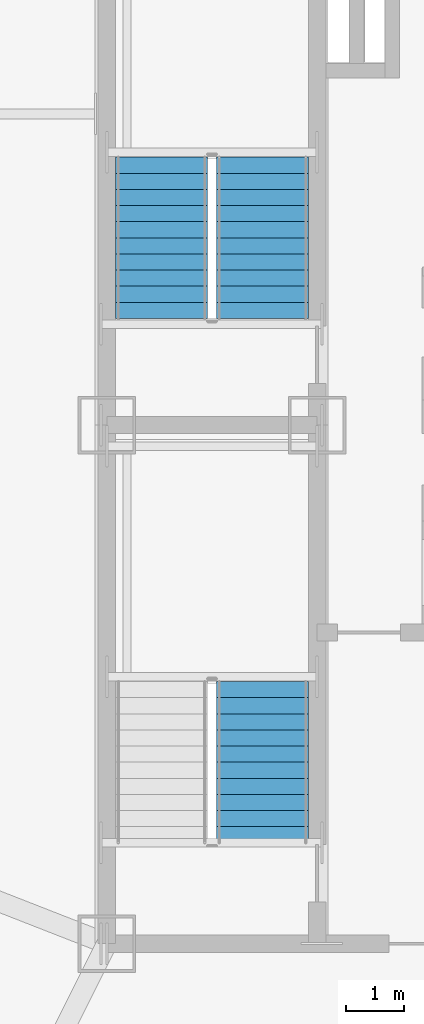
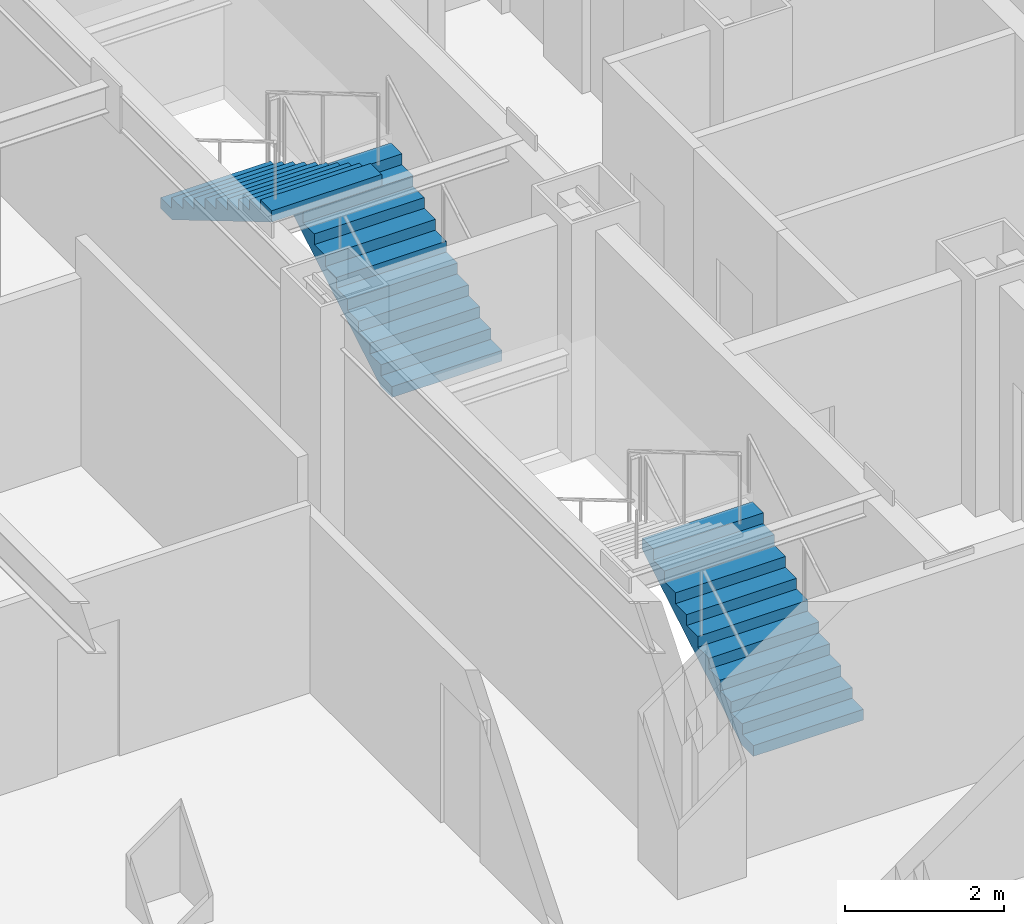
# One storey, part 13 of 14: 3 stair flights, 2 elements without a shape of their own.
"""IFC4 building model written with IfcOpenShell, lengths in metres."""

from ifc_helpers import new_model, si_unit, direction, frame, origin, place, context, subcontext, project, spatial, polyline, outline, extrude, material, type_object, element, aggregate, save


model = new_model("IFC4")

# Units and contexts
model_context = context("Model", 3, precision=1e-05, world=origin(), true_north=direction((0.0, 1.0)))
body_context = subcontext(model_context, "Body", "Model", "MODEL_VIEW")
ifc_project = project(units=[si_unit("LENGTHUNIT", "METRE"), si_unit("AREAUNIT", "SQUARE_METRE"), si_unit("VOLUMEUNIT", "CUBIC_METRE"), si_unit("PLANEANGLEUNIT", "RADIAN"), si_unit("MASSUNIT", "GRAM", prefix="KILO")], contexts=[model_context])

# Site, building, storey
site_placement = place(None, origin())
site = spatial("IfcSite", under=ifc_project, at=site_placement, CompositionType="ELEMENT")
building_placement = place(site_placement, origin())
building = spatial("IfcBuilding", under=site, at=building_placement, Name="Khamvora Tower", CompositionType="ELEMENT")
storey_placement = place(building_placement, frame((0.0, 0.0, 253.699951171875)))
storey = spatial("IfcBuildingStorey", under=building, at=storey_placement, Name="L65", CompositionType="ELEMENT", Elevation=253.699951171875)

# Stair, stair flight
ifc_material = material(Name="Concrete C40/50", Category="concrete")
stair_type_1 = type_object("IfcStairType", Name="STR-ST-01", PredefinedType="HALF_TURN_STAIR", material=ifc_material)
stair_1_placement = place(storey_placement, origin())
stair_1 = element("IfcStair", 1, at=stair_1_placement, inside=storey, type_object=stair_type_1, Name="L65 South Tower Exit Stair ST-01", PredefinedType="HALF_TURN_STAIR")
stair_flight_type_1 = type_object("IfcStairFlightType", Name="STF-ST-01", PredefinedType="STRAIGHT", material=ifc_material)
stair_flight_1_placement = place(storey_placement, frame((31.699951171875, 20.75, 0.0), z_axis=(0.0, 0.0, 1.0), x_axis=(0.0, 1.0, 0.0)))
stair_flight_1 = element("IfcStairFlight", 2, at=stair_flight_1_placement, type_object=stair_flight_type_1, Name="ST-01 flight 1", NumberOfRisers=11, NumberOfTreads=10, PredefinedType="STRAIGHT", RiserHeight=0.165909091, TreadLength=0.28, context=body_context, shape_type="SweptSolid", body=[
    extrude(outline(polyline([(0.0, 0.0), (0.0, 0.166015625), (0.280029296875, 0.166015625), (0.280029296875, 0.331787109375), (0.56005859375, 0.331787109375), (0.56005859375, 0.497802734375), (0.840087890625, 0.497802734375), (0.840087890625, 0.66357421875), (1.1201171875, 0.66357421875), (1.1201171875, 0.82958984375), (1.39990234375, 0.82958984375), (1.39990234375, 0.995361328125), (1.679931640625, 0.995361328125), (1.679931640625, 1.161376953125), (1.9599609375, 1.161376953125), (1.9599609375, 1.327392578125), (2.239990234375, 1.327392578125), (2.239990234375, 1.4931640625), (2.52001953125, 1.4931640625), (2.52001953125, 1.6591796875), (2.800048828125, 1.6591796875), (2.800048828125, 1.824951171875), (2.800048828125, 1.48486328125), (0.2939453125, 0.0), (0.0, 0.0)])), frame((0.0, 0.800048828125, 0.0), z_axis=(0.0, -1.0, 0.0), x_axis=(1.0, 0.0, 0.0)), (0.0, 0.0, 1.0), 1.60009765625),
])
aggregate(stair_1, [stair_flight_1])

# Stair, stair flights
stair_type_2 = type_object("IfcStairType", Name="STR-ST-02", PredefinedType="HALF_TURN_STAIR", material=ifc_material)
stair_2_placement = place(storey_placement, origin())
stair_2 = element("IfcStair", 3, at=stair_2_placement, inside=storey, type_object=stair_type_2, Name="L65 North Tower Exit Stair ST-02", PredefinedType="HALF_TURN_STAIR")
stair_flight_type_2 = type_object("IfcStairFlightType", Name="STF-ST-02", PredefinedType="STRAIGHT", material=ifc_material)
stair_flight_2_placement = place(storey_placement, frame((31.699951171875, 29.85009765625, 0.0), z_axis=(0.0, 0.0, 1.0), x_axis=(0.0, 1.0, 0.0)))
stair_flight_2 = element("IfcStairFlight", 4, at=stair_flight_2_placement, type_object=stair_flight_type_2, Name="ST-02 flight 1", NumberOfRisers=11, NumberOfTreads=10, PredefinedType="STRAIGHT", RiserHeight=0.165909091, TreadLength=0.28, context=body_context, shape_type="SweptSolid", body=[
    extrude(outline(polyline([(0.0, 0.0), (0.0, 0.166015625), (0.280029296875, 0.166015625), (0.280029296875, 0.331787109375), (0.56005859375, 0.331787109375), (0.56005859375, 0.497802734375), (0.840087890625, 0.497802734375), (0.840087890625, 0.66357421875), (1.1201171875, 0.66357421875), (1.1201171875, 0.82958984375), (1.39990234375, 0.82958984375), (1.39990234375, 0.995361328125), (1.679931640625, 0.995361328125), (1.679931640625, 1.161376953125), (1.9599609375, 1.161376953125), (1.9599609375, 1.327392578125), (2.239990234375, 1.327392578125), (2.239990234375, 1.4931640625), (2.52001953125, 1.4931640625), (2.52001953125, 1.6591796875), (2.800048828125, 1.6591796875), (2.800048828125, 1.824951171875), (2.800048828125, 1.48486328125), (0.2939453125, 0.0), (0.0, 0.0)])), frame((0.0, 0.800048828125, 0.0), z_axis=(0.0, -1.0, 0.0), x_axis=(1.0, 0.0, 0.0)), (0.0, 0.0, 1.0), 1.60009765625),
])
stair_flight_3_placement = place(storey_placement, frame((29.949951171875, 32.64990234375, 1.824951171875), z_axis=(0.0, 0.0, 1.0), x_axis=(0.0, -1.0, 0.0)))
stair_flight_3 = element("IfcStairFlight", 5, at=stair_flight_3_placement, type_object=stair_flight_type_2, Name="ST-02 flight 2", NumberOfRisers=11, NumberOfTreads=10, PredefinedType="STRAIGHT", RiserHeight=0.165909091, TreadLength=0.28, context=body_context, shape_type="SweptSolid", body=[
    extrude(outline(polyline([(0.0, 0.0), (0.0, 0.166015625), (0.280029296875, 0.166015625), (0.280029296875, 0.331787109375), (0.56005859375, 0.331787109375), (0.56005859375, 0.497802734375), (0.840087890625, 0.497802734375), (0.840087890625, 0.66357421875), (1.1201171875, 0.66357421875), (1.1201171875, 0.82958984375), (1.39990234375, 0.82958984375), (1.39990234375, 0.995361328125), (1.679931640625, 0.995361328125), (1.679931640625, 1.161376953125), (1.9599609375, 1.161376953125), (1.9599609375, 1.327392578125), (2.239990234375, 1.327392578125), (2.239990234375, 1.4931640625), (2.52001953125, 1.4931640625), (2.52001953125, 1.6591796875), (2.800048828125, 1.6591796875), (2.800048828125, 1.824951171875), (2.800048828125, 1.48486328125), (0.2939453125, 0.0), (0.0, 0.0)])), frame((0.0, 0.800048828125, 0.0), z_axis=(0.0, -1.0, 0.0), x_axis=(1.0, 0.0, 0.0)), (0.0, 0.0, 1.0), 1.60009765625),
])
aggregate(stair_2, [stair_flight_2, stair_flight_3])

save(model, "model.ifc")
